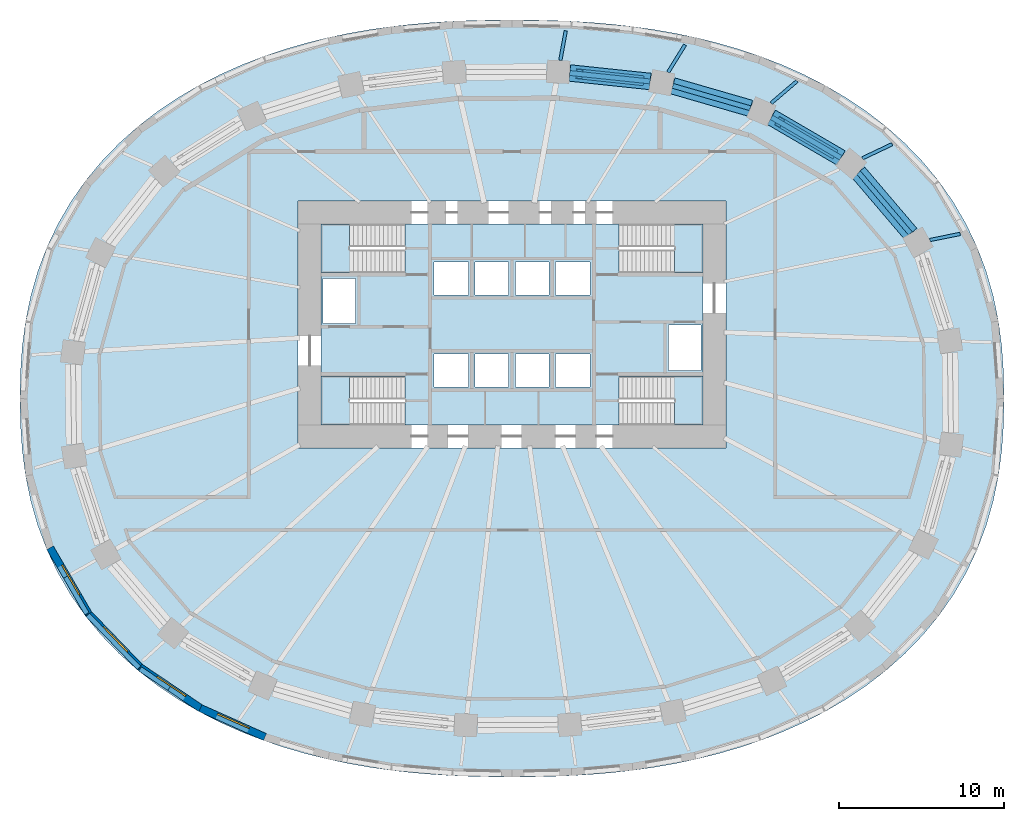
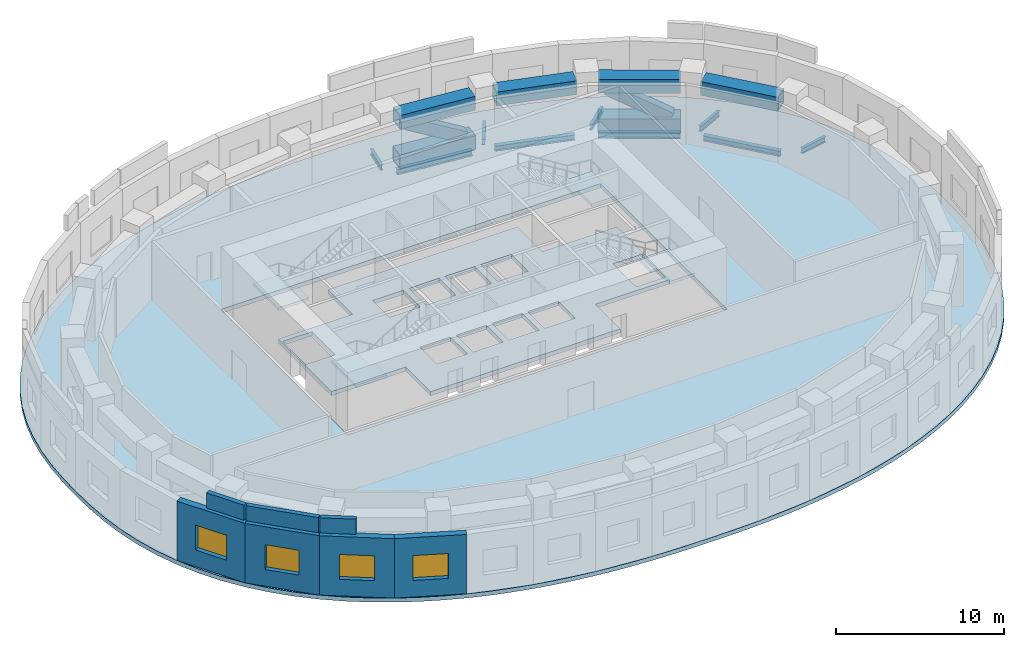
# One storey, part 3 of 9: 9 beams, 8 members, 7 walls, 6 slabs, 4 windows, 4 openings, 4 elements without a shape of their own.
"""IFC4 building model written with IfcOpenShell, lengths in metres."""

import ifcopenshell
import ifcopenshell.guid

model = None  # the IFC model being written
_history = None  # IfcOwnerHistory: only IFC2X3 demands one
_inside = {}  # id of a spatial element -> (the spatial element, [elements in it])
_under = {}  # id of a project, library or spatial element -> (it, [spatial elements below it])
_declared = {}  # id of a project -> (the project, [libraries it declares])
_typed = {}  # id of a type object -> (the type object, [elements of that type])
_made_of = {}  # id of a material, layer set ... -> (it, [elements and type objects made of it])


def new_model(schema):
    """Start an empty IFC model of exactly this schema.

    Asked for "IFC4X3", IfcOpenShell would pick the latest addendum, in which some entities
    have other attributes; the version numbers below select the first issue.
    IFC2X3 requires an IfcOwnerHistory on every rooted entity: one is made here for all.
    """
    global model, _history
    if schema == "IFC4X3":
        model = ifcopenshell.file(schema_version=(4, 3, 0, 0))
    else:
        model = ifcopenshell.file(schema=schema)
    _inside.clear()
    _under.clear()
    _declared.clear()
    _typed.clear()
    _made_of.clear()
    _history = None
    if model.schema == "IFC2X3":
        org = make("IfcOrganization", Name="unknown")
        user = make(
            "IfcPersonAndOrganization",
            ThePerson=make("IfcPerson", FamilyName="unknown"),
            TheOrganization=org,
        )
        app = make(
            "IfcApplication",
            ApplicationDeveloper=org,
            Version="unknown",
            ApplicationFullName="unknown",
            ApplicationIdentifier="unknown",
        )
        _history = make(
            "IfcOwnerHistory",
            OwningUser=user,
            OwningApplication=app,
            ChangeAction="ADDED",
            CreationDate=0,
        )
    return model


def make(cls, **values):
    """One entity of the class cls with the attributes given. An attribute that is None is left unset."""
    return model.create_entity(
        cls, **{name: value for name, value in values.items() if value is not None}
    )


def rooted(cls, **values):
    """An entity with a GlobalId (a new one), such as an element, a storey or a relation."""
    return make(cls, GlobalId=ifcopenshell.guid.new(), OwnerHistory=_history, **values)


def si_unit(unit_type, name, prefix=None):
    """IfcSIUnit, for example si_unit("LENGTHUNIT", "METRE", prefix="MILLI")."""
    return make("IfcSIUnit", UnitType=unit_type, Prefix=prefix, Name=name)


def assignment(units):
    """IfcUnitAssignment: the units of a project."""
    return None if units is None else make("IfcUnitAssignment", Units=units)


def point(xyz):
    """IfcCartesianPoint."""
    return None if xyz is None else make("IfcCartesianPoint", Coordinates=xyz)


def direction(xyz):
    """IfcDirection."""
    return None if xyz is None else make("IfcDirection", DirectionRatios=xyz)


def frame(location, z_axis=None, x_axis=None):
    """IfcAxis2Placement3D, a coordinate frame: its origin and axes. An axis left out is left unset."""
    return make(
        "IfcAxis2Placement3D",
        Location=point(location),
        Axis=direction(z_axis),
        RefDirection=direction(x_axis),
    )


def frame_2d(location, x_axis=None):
    """IfcAxis2Placement2D, a coordinate frame in the plane: its origin and x axis."""
    return make(
        "IfcAxis2Placement2D", Location=point(location), RefDirection=direction(x_axis)
    )


def origin():
    """The frame at (0, 0, 0) with its axes left unset."""
    return frame((0.0, 0.0, 0.0))


def origin_2d():
    """The frame at (0, 0) in the plane with its x axis left unset."""
    return frame_2d((0.0, 0.0))


def place(relative_to, where):
    """IfcLocalPlacement: puts the frame where relative to a parent placement (None: the world)."""
    return make(
        "IfcLocalPlacement", PlacementRelTo=relative_to, RelativePlacement=where
    )


def context(
    kind, dimensions, precision=None, world=None, true_north=None, identifier=None
):
    """IfcGeometricRepresentationContext, for example the 3D "Model" context."""
    return make(
        "IfcGeometricRepresentationContext",
        ContextIdentifier=identifier,
        ContextType=kind,
        CoordinateSpaceDimension=dimensions,
        Precision=precision,
        WorldCoordinateSystem=world,
        TrueNorth=true_north,
    )


def subcontext(parent, identifier, kind, view, scale=None):
    """IfcGeometricRepresentationSubContext, for example "Body" below "Model"."""
    return make(
        "IfcGeometricRepresentationSubContext",
        ContextIdentifier=identifier,
        ContextType=kind,
        ParentContext=parent,
        TargetScale=scale,
        TargetView=view,
    )


def project(units=None, contexts=None):
    """IfcProject with its units and contexts."""
    return rooted(
        "IfcProject",
        Name="project",
        RepresentationContexts=contexts,
        UnitsInContext=assignment(units),
    )


def spatial(cls, under=None, at=None, **own):
    """A site, building, storey or space (cls), placed at a placement, below another one or the project."""
    s = rooted(cls, ObjectPlacement=at, **own)
    if under is not None:
        _under.setdefault(under.id(), (under, []))[1].append(s)
    return s


def polyline(points):
    """IfcPolyline through the points."""
    return make("IfcPolyline", Points=[point(p) for p in points])


def profile(cls, at=None, kind="AREA", **sizes):
    """A parametric profile (cls). Its sizes go by their IFC names, for example OverallWidth=200.0."""
    return make(cls, ProfileType=kind, Position=at, **sizes)


def rectangle(**sizes):
    """IfcRectangleProfileDef."""
    return profile("IfcRectangleProfileDef", **sizes)


def hollow_rectangle(**sizes):
    """IfcRectangleHollowProfileDef."""
    return profile("IfcRectangleHollowProfileDef", **sizes)


def i_section(**sizes):
    """IfcIShapeProfileDef."""
    return profile("IfcIShapeProfileDef", **sizes)


def outline(outer, holes=None, kind="AREA"):
    """IfcArbitraryClosedProfileDef: a profile drawn as a closed curve; with holes, ...WithVoids."""
    if holes is None:
        return make("IfcArbitraryClosedProfileDef", ProfileType=kind, OuterCurve=outer)
    return make(
        "IfcArbitraryProfileDefWithVoids",
        ProfileType=kind,
        OuterCurve=outer,
        InnerCurves=holes,
    )


def extrude(swept, where, along, depth):
    """IfcExtrudedAreaSolid: the profile swept, set in the frame where, extruded along a direction by depth."""
    return make(
        "IfcExtrudedAreaSolid",
        SweptArea=swept,
        Position=where,
        ExtrudedDirection=direction(along),
        Depth=depth,
    )


def shape(context_of_items, identifier, shape_type, items):
    """IfcShapeRepresentation: the items that make up one representation, for example the "Body"."""
    return make(
        "IfcShapeRepresentation",
        ContextOfItems=context_of_items,
        RepresentationIdentifier=identifier,
        RepresentationType=shape_type,
        Items=items,
    )


def material(Name=None, Category=None):
    """IfcMaterial."""
    return make("IfcMaterial", Name=Name, Category=Category)


def layer(
    of_material, thickness, ventilated=None, Name=None, Category=None, Priority=None
):
    """IfcMaterialLayer: one layer of a wall or slab, of a material (None: an air gap)."""
    return make(
        "IfcMaterialLayer",
        Material=of_material,
        LayerThickness=thickness,
        IsVentilated=ventilated,
        Name=Name,
        Category=Category,
        Priority=Priority,
    )


def layer_set(layers, Name=None):
    """IfcMaterialLayerSet."""
    return make("IfcMaterialLayerSet", MaterialLayers=layers, LayerSetName=Name)


def material_profile(
    of_material, cross_section, Name=None, Category=None, Priority=None
):
    """IfcMaterialProfile: a cross section and its material."""
    return make(
        "IfcMaterialProfile",
        Name=Name,
        Material=of_material,
        Profile=cross_section,
        Priority=Priority,
        Category=Category,
    )


def profile_set(profiles, Name=None, composite=None):
    """IfcMaterialProfileSet."""
    return make(
        "IfcMaterialProfileSet",
        Name=Name,
        MaterialProfiles=profiles,
        CompositeProfile=composite,
    )


def made_of(thing, what):
    """Note that an element or type object is made of a material, layer set ...; save() writes the relation."""
    if what is not None:
        _made_of.setdefault(what.id(), (what, []))[1].append(thing)
    return thing


def type_object(cls, material=None, **own):
    """A type object (cls), such as IfcWallType, which elements share."""
    return made_of(rooted(cls, **own), material)


def element(
    cls,
    number,
    at=None,
    inside=None,
    cuts=None,
    type_object=None,
    material=None,
    context=None,
    identifier="Body",
    shape_type=None,
    held_by="IfcProductDefinitionShape",
    body=None,
    shapes=None,
    **own,
):
    """One element of the class cls, such as IfcWall. Its Tag is "e" and its number.

    at: its placement. inside: the storey or other place that contains it. cuts: it is an
    opening in that element (IfcRelVoidsElement). A single representation is given by context,
    identifier, shape_type and body (its items); several are given by shapes. held_by: the class
    of the entity that holds the representations. save() writes the other relations.
    """
    e = rooted(cls, Tag="e%d" % number, ObjectPlacement=at, **own)
    if body is not None:
        shapes = [shape(context, identifier, shape_type, body)]
    if shapes is not None:
        e.Representation = make(held_by, Representations=shapes)
    if inside is not None:
        _inside.setdefault(inside.id(), (inside, []))[1].append(e)
    if cuts is not None:
        rooted(
            "IfcRelVoidsElement", RelatingBuildingElement=cuts, RelatedOpeningElement=e
        )
    if type_object is not None:
        _typed.setdefault(type_object.id(), (type_object, []))[1].append(e)
    return made_of(e, material)


def fill(opening, filler):
    """IfcRelFillsElement: the door or window that sits in an opening."""
    return rooted(
        "IfcRelFillsElement",
        RelatingOpeningElement=opening,
        RelatedBuildingElement=filler,
    )


def aggregate(whole, parts):
    """IfcRelAggregates: a whole, such as a stair, and the parts it consists of."""
    return rooted("IfcRelAggregates", RelatingObject=whole, RelatedObjects=parts)


def save(model, path):
    """Write the relations noted so far, then the file.

    IfcRelAggregates (storeys below a building ...), IfcRelContainedInSpatialStructure (elements
    in a storey), IfcRelDefinesByType, IfcRelAssociatesMaterial and IfcRelDeclares: one each for
    every whole, place, type object, material and project.
    """
    for whole, parts in _under.values():
        aggregate(whole, parts)
    for where, things in _inside.values():
        rooted(
            "IfcRelContainedInSpatialStructure",
            RelatedElements=things,
            RelatingStructure=where,
        )
    for kind, things in _typed.values():
        rooted("IfcRelDefinesByType", RelatedObjects=things, RelatingType=kind)
    for what, things in _made_of.values():
        rooted("IfcRelAssociatesMaterial", RelatedObjects=things, RelatingMaterial=what)
    for by, libraries in _declared.values():
        rooted("IfcRelDeclares", RelatingContext=by, RelatedDefinitions=libraries)
    model.write(path)


model = new_model("IFC4")

# Units and contexts
model_context = context("Model", 3, precision=1e-05, world=origin(), true_north=direction((0.0, 1.0)))
body_context = subcontext(model_context, "Body", "Model", "MODEL_VIEW")
ifc_project = project(units=[si_unit("LENGTHUNIT", "METRE"), si_unit("AREAUNIT", "SQUARE_METRE"), si_unit("VOLUMEUNIT", "CUBIC_METRE"), si_unit("PLANEANGLEUNIT", "RADIAN"), si_unit("MASSUNIT", "GRAM", prefix="KILO")], contexts=[model_context])

# Site, building, storey
site_placement = place(None, origin())
site = spatial("IfcSite", under=ifc_project, at=site_placement, CompositionType="ELEMENT")
building_placement = place(site_placement, origin())
building = spatial("IfcBuilding", under=site, at=building_placement, Name="Rubra Terraces Tower", CompositionType="ELEMENT")
storey_placement = place(building_placement, frame((0.0, 0.0, 33.0)))
storey = spatial("IfcBuildingStorey", under=building, at=storey_placement, Name="L05", CompositionType="ELEMENT", Elevation=33.0)

# Members
ifc_material_1 = material(Name="Steel Q355B", Category="steel")
ifc_material_profile_1 = material_profile(ifc_material_1, hollow_rectangle(XDim=1.0, YDim=1.0, WallThickness=0.050048828125, at=origin_2d()), Name="BOX 1000x1000x50")
ifc_profile_set_1 = profile_set([ifc_material_profile_1], Name="Steel Q355B")
member_type_1 = type_object("IfcMemberType", Name="BELT TRUSS BOTTOM CHORD R1 BOX 1000x1000x50", PredefinedType="CHORD", material=ifc_profile_set_1)
member_1_placement = place(storey_placement, frame((19.9951171875, 14.618896484375, 0.5), z_axis=(-0.863809616636, 0.503818366286, 0.0), x_axis=(-0.503818366286, -0.863809616636, 0.0)))
element("IfcMember", 1, at=member_1_placement, inside=storey, type_object=member_type_1, Name="BELT TRUSS CHORD R1", PredefinedType="CHORD", context=body_context, shape_type="SweptSolid", body=[
    extrude(hollow_rectangle(XDim=1.0, YDim=1.0, WallThickness=0.050048828125, at=origin_2d()), origin(), (0.0, 0.0, 1.0), 4.900634765625),
])
member_2_placement = place(storey_placement, frame((8.39794921875, 19.264892578125, 0.5), z_axis=(-0.994478218252, 0.104943191403, 0.0), x_axis=(-0.104943191403, -0.994478218252, 0.0)))
element("IfcMember", 2, at=member_2_placement, inside=storey, type_object=member_type_1, Name="BELT TRUSS CHORD R1", PredefinedType="CHORD", context=body_context, shape_type="SweptSolid", body=[
    extrude(hollow_rectangle(XDim=1.0, YDim=1.0, WallThickness=0.050048828125, at=origin_2d()), origin(), (0.0, 0.0, 1.0), 4.91796875),
])
ifc_material_profile_2 = material_profile(ifc_material_1, hollow_rectangle(XDim=0.60009765625, YDim=0.800048828125, WallThickness=0.034912109375, at=origin_2d()), Name="BOX 800x600x35")
ifc_profile_set_2 = profile_set([ifc_material_profile_2], Name="Steel Q355B")
member_type_2 = type_object("IfcMemberType", Name="BELT TRUSS DIAGONAL R1 BOX 800x600x35", PredefinedType="BRACE", material=ifc_profile_set_2)
member_3_placement = place(storey_placement, frame((19.487060546875, 14.9150390625, 0.89990234375), z_axis=(-0.756332606861, 0.441275334412, 0.482946236179), x_axis=(-0.503940308801, -0.863738481929, 0.0)))
element("IfcMember", 3, at=member_3_placement, inside=storey, type_object=member_type_2, Name="BELT TRUSS DIAGONAL R1", PredefinedType="BRACE", context=body_context, shape_type="SweptSolid", body=[
    extrude(hollow_rectangle(XDim=0.60009765625, YDim=0.800048828125, WallThickness=0.034912109375, at=origin_2d()), origin(), (0.0, 0.0, 1.0), 4.25341796875),
])
member_4_placement = place(storey_placement, frame((7.81103515625, 19.326904296875, 0.89990234375), z_axis=(-0.871530603495, 0.091932883364, 0.481645878346), x_axis=(-0.104902392871, -0.994482522707, 0.0)))
element("IfcMember", 4, at=member_4_placement, inside=storey, type_object=member_type_2, Name="BELT TRUSS DIAGONAL R1", PredefinedType="BRACE", context=body_context, shape_type="SweptSolid", body=[
    extrude(hollow_rectangle(XDim=0.60009765625, YDim=0.800048828125, WallThickness=0.034912109375, at=origin_2d()), origin(), (0.0, 0.0, 1.0), 4.264892578125),
])
ifc_material_profile_3 = material_profile(ifc_material_1, hollow_rectangle(XDim=1.0, YDim=1.0, WallThickness=0.050048828125, at=origin_2d()), Name="BOX 1000x1000x50")
ifc_profile_set_3 = profile_set([ifc_material_profile_3], Name="Steel Q355B")
member_type_3 = type_object("IfcMemberType", Name="BELT TRUSS TOP CHORD R1 BOX 1000x1000x50", PredefinedType="CHORD", material=ifc_profile_set_3)
member_5_placement = place(storey_placement, frame((24.221923828125, 10.01611328125, 3.35400390625), z_axis=(-0.648681016866, 0.761060403882, 0.0), x_axis=(-0.761060403882, -0.648681016866, 0.0)))
element("IfcMember", 5, at=member_5_placement, inside=storey, type_object=member_type_3, Name="BELT TRUSS CHORD R1", PredefinedType="CHORD", context=body_context, shape_type="SweptSolid", body=[
    extrude(hollow_rectangle(XDim=1.0, YDim=1.0, WallThickness=0.050048828125, at=origin_2d()), origin(), (0.0, 0.0, 1.0), 4.8837890625),
])
member_6_placement = place(storey_placement, frame((19.9951171875, 14.618896484375, 3.35400390625), z_axis=(-0.863809616636, 0.503818366286, 0.0), x_axis=(-0.503818366286, -0.863809616636, 0.0)))
element("IfcMember", 6, at=member_6_placement, inside=storey, type_object=member_type_3, Name="BELT TRUSS CHORD R1", PredefinedType="CHORD", context=body_context, shape_type="SweptSolid", body=[
    extrude(hollow_rectangle(XDim=1.0, YDim=1.0, WallThickness=0.050048828125, at=origin_2d()), origin(), (0.0, 0.0, 1.0), 4.900634765625),
])
member_7_placement = place(storey_placement, frame((14.48388671875, 17.635009765625, 3.35400390625), z_axis=(-0.960692082197, 0.277616143629, 0.0), x_axis=(-0.277616143629, -0.960692082197, 0.0)))
element("IfcMember", 7, at=member_7_placement, inside=storey, type_object=member_type_3, Name="BELT TRUSS CHORD R1", PredefinedType="CHORD", context=body_context, shape_type="SweptSolid", body=[
    extrude(hollow_rectangle(XDim=1.0, YDim=1.0, WallThickness=0.050048828125, at=origin_2d()), origin(), (0.0, 0.0, 1.0), 4.909912109375),
])
member_8_placement = place(storey_placement, frame((8.39794921875, 19.264892578125, 3.35400390625), z_axis=(-0.994478218252, 0.104943191403, 0.0), x_axis=(-0.104943191403, -0.994478218252, 0.0)))
element("IfcMember", 8, at=member_8_placement, inside=storey, type_object=member_type_3, Name="BELT TRUSS CHORD R1", PredefinedType="CHORD", context=body_context, shape_type="SweptSolid", body=[
    extrude(hollow_rectangle(XDim=1.0, YDim=1.0, WallThickness=0.050048828125, at=origin_2d()), origin(), (0.0, 0.0, 1.0), 4.91796875),
])

# Beams
ifc_material_profile_4 = material_profile(ifc_material_1, i_section(OverallWidth=0.199951171875, OverallDepth=0.39990234375, WebThickness=0.008056640625, FlangeThickness=0.012939453125, at=origin_2d()), Name="HN 400x200x8x13")
ifc_profile_set_4 = profile_set([ifc_material_profile_4], Name="Steel Q355B")
beam_type_1 = type_object("IfcBeamType", Name="CANTILEVER BEAM HN 400x200x8x13", PredefinedType="BEAM", material=ifc_profile_set_4)
beam_1_placement = place(storey_placement, frame((25.39599609375, 9.6279296875, -0.5), z_axis=(0.980183746275, 0.198090442822, 0.0), x_axis=(-0.198090442822, 0.980183746275, 0.0)))
element("IfcBeam", 9, at=beam_1_placement, inside=storey, type_object=beam_type_1, Name="beam-L05-cant-02", PredefinedType="BEAM", context=body_context, shape_type="SweptSolid", body=[
    extrude(i_section(OverallWidth=0.199951171875, OverallDepth=0.39990234375, WebThickness=0.008056640625, FlangeThickness=0.012939453125, at=origin_2d()), origin(), (0.0, 0.0, 1.0), 1.878173828125),
])
beam_2_placement = place(storey_placement, frame((21.2958984375, 14.595947265625, -0.5), z_axis=(0.903591368952, 0.428395422426, 0.0), x_axis=(-0.428395422426, 0.903591368952, 0.0)))
element("IfcBeam", 10, at=beam_2_placement, inside=storey, type_object=beam_type_1, Name="beam-L05-cant-03", PredefinedType="BEAM", context=body_context, shape_type="SweptSolid", body=[
    extrude(i_section(OverallWidth=0.199951171875, OverallDepth=0.39990234375, WebThickness=0.008056640625, FlangeThickness=0.012939453125, at=origin_2d()), origin(), (0.0, 0.0, 1.0), 2.003173828125),
])
beam_3_placement = place(storey_placement, frame((15.7509765625, 17.947998046875, -0.5), z_axis=(0.760464221836, 0.649379832847, 0.0), x_axis=(-0.649379832847, 0.760464221836, 0.0)))
element("IfcBeam", 11, at=beam_3_placement, inside=storey, type_object=beam_type_1, Name="beam-L05-cant-04", PredefinedType="BEAM", context=body_context, shape_type="SweptSolid", body=[
    extrude(i_section(OverallWidth=0.199951171875, OverallDepth=0.39990234375, WebThickness=0.008056640625, FlangeThickness=0.012939453125, at=origin_2d()), origin(), (0.0, 0.0, 1.0), 2.052734375),
])
beam_4_placement = place(storey_placement, frame((9.488037109375, 19.827880859375, -0.5), z_axis=(0.526264261804, 0.850321072741, 0.0), x_axis=(-0.850321072741, 0.526264261804, 0.0)))
element("IfcBeam", 12, at=beam_4_placement, inside=storey, type_object=beam_type_1, Name="beam-L05-cant-05", PredefinedType="BEAM", context=body_context, shape_type="SweptSolid", body=[
    extrude(i_section(OverallWidth=0.199951171875, OverallDepth=0.39990234375, WebThickness=0.008056640625, FlangeThickness=0.012939453125, at=origin_2d()), origin(), (0.0, 0.0, 1.0), 1.95361328125),
])
beam_5_placement = place(storey_placement, frame((2.93798828125, 20.549072265625, -0.5), z_axis=(0.180016854408, 0.983663525871, 0.0), x_axis=(-0.983663525871, 0.180016854408, 0.0)))
element("IfcBeam", 13, at=beam_5_placement, inside=storey, type_object=beam_type_1, Name="beam-L05-cant-06", PredefinedType="BEAM", context=body_context, shape_type="SweptSolid", body=[
    extrude(i_section(OverallWidth=0.199951171875, OverallDepth=0.39990234375, WebThickness=0.008056640625, FlangeThickness=0.012939453125, at=origin_2d()), origin(), (0.0, 0.0, 1.0), 1.82275390625),
])
ifc_material_profile_5 = material_profile(ifc_material_1, i_section(OverallWidth=0.300048828125, OverallDepth=0.389892578125, WebThickness=0.010009765625, FlangeThickness=0.01611328125, at=origin_2d()), Name="HM 390x300x10x16")
ifc_profile_set_5 = profile_set([ifc_material_profile_5], Name="Steel Q355B")
beam_type_2 = type_object("IfcBeamType", Name="SPANDREL BEAM HM 390x300x10x16", PredefinedType="SPANDREL", material=ifc_profile_set_5)
beam_6_placement = place(storey_placement, frame((24.212890625, 10.02587890625, -0.4951171875), z_axis=(-0.648447050824, 0.761259760054, 0.0), x_axis=(-0.761259760054, -0.648447050824, 0.0)))
element("IfcBeam", 14, at=beam_6_placement, inside=storey, type_object=beam_type_2, Name="beam-L05-spandrel-02", PredefinedType="SPANDREL", context=body_context, shape_type="SweptSolid", body=[
    extrude(i_section(OverallWidth=0.300048828125, OverallDepth=0.389892578125, WebThickness=0.010009765625, FlangeThickness=0.01611328125, at=origin_2d()), origin(), (0.0, 0.0, 1.0), 4.860595703125),
])
beam_7_placement = place(storey_placement, frame((19.987060546875, 14.6240234375, -0.4951171875), z_axis=(-0.863806081452, 0.503824427402, 0.0), x_axis=(-0.503824427402, -0.863806081452, 0.0)))
element("IfcBeam", 15, at=beam_7_placement, inside=storey, type_object=beam_type_2, Name="beam-L05-spandrel-03", PredefinedType="SPANDREL", context=body_context, shape_type="SweptSolid", body=[
    extrude(i_section(OverallWidth=0.300048828125, OverallDepth=0.389892578125, WebThickness=0.010009765625, FlangeThickness=0.01611328125, at=origin_2d()), origin(), (0.0, 0.0, 1.0), 4.886474609375),
])
beam_8_placement = place(storey_placement, frame((14.47900390625, 17.636962890625, -0.4951171875), z_axis=(-0.960743980202, 0.277436487337, 0.0), x_axis=(-0.277436487337, -0.960743980202, 0.0)))
element("IfcBeam", 16, at=beam_8_placement, inside=storey, type_object=beam_type_2, Name="beam-L05-spandrel-04", PredefinedType="SPANDREL", context=body_context, shape_type="SweptSolid", body=[
    extrude(i_section(OverallWidth=0.300048828125, OverallDepth=0.389892578125, WebThickness=0.010009765625, FlangeThickness=0.01611328125, at=origin_2d()), origin(), (0.0, 0.0, 1.0), 4.90234375),
])
beam_9_placement = place(storey_placement, frame((8.39501953125, 19.26611328125, -0.4951171875), z_axis=(-0.994495375694, 0.104780473964, 0.0), x_axis=(-0.104780473964, -0.994495375694, 0.0)))
element("IfcBeam", 17, at=beam_9_placement, inside=storey, type_object=beam_type_2, Name="beam-L05-spandrel-05", PredefinedType="SPANDREL", context=body_context, shape_type="SweptSolid", body=[
    extrude(i_section(OverallWidth=0.300048828125, OverallDepth=0.389892578125, WebThickness=0.010009765625, FlangeThickness=0.01611328125, at=origin_2d()), origin(), (0.0, 0.0, 1.0), 4.9140625),
])

# Slab
ifc_material_2 = material(Name="Concrete C40", Category="concrete")
ifc_layer_1 = layer(ifc_material_2, 0.300048828125)
ifc_layer_set_1 = layer_set([ifc_layer_1], Name="Concrete C40")
slab_type_1 = type_object("IfcSlabType", Name="Core floor slab 300 concrete", PredefinedType="FLOOR", material=ifc_layer_set_1)
slab_1_placement = place(storey_placement, frame((0.0, 0.0, -0.300048828125)))
element("IfcSlab", 18, at=slab_1_placement, inside=storey, type_object=slab_type_1, Name="CORE FLOOR SLAB L05", PredefinedType="FLOOR", context=body_context, shape_type="SweptSolid", body=[
    extrude(outline(polyline([(-11.60009765625, 1.347900390625), (-11.60009765625, 7.652099609375), (-6.501953125, 7.652099609375), (-6.501953125, 10.60009765625), (6.501953125, 10.60009765625), (6.501953125, 7.652099609375), (11.60009765625, 7.652099609375), (11.60009765625, 1.347900390625), (6.501953125, 1.347900390625), (6.501953125, -1.60009765625), (-6.501953125, -1.60009765625), (-6.501953125, 1.347900390625), (-11.60009765625, 1.347900390625)]), holes=[polyline([(9.5, 1.699951171875), (11.5, 1.699951171875), (11.5, 4.449951171875), (9.5, 4.449951171875), (9.5, 1.699951171875)]), polyline([(4.75, 0.699951171875), (4.75, 2.699951171875), (2.64990234375, 2.699951171875), (2.64990234375, 0.699951171875), (4.75, 0.699951171875)]), polyline([(4.75, 6.300048828125), (4.75, 8.300048828125), (2.64990234375, 8.300048828125), (2.64990234375, 6.300048828125), (4.75, 6.300048828125)]), polyline([(2.25, 0.699951171875), (2.25, 2.699951171875), (0.199951171875, 2.699951171875), (0.199951171875, 0.699951171875), (2.25, 0.699951171875)]), polyline([(2.25, 6.300048828125), (2.25, 8.300048828125), (0.199951171875, 8.300048828125), (0.199951171875, 6.300048828125), (2.25, 6.300048828125)]), polyline([(-0.199951171875, 0.699951171875), (-0.199951171875, 2.699951171875), (-2.25, 2.699951171875), (-2.25, 0.699951171875), (-0.199951171875, 0.699951171875)]), polyline([(-0.199951171875, 6.300048828125), (-0.199951171875, 8.300048828125), (-2.25, 8.300048828125), (-2.25, 6.300048828125), (-0.199951171875, 6.300048828125)]), polyline([(-2.64990234375, 0.699951171875), (-2.64990234375, 2.699951171875), (-4.75, 2.699951171875), (-4.75, 0.699951171875), (-2.64990234375, 0.699951171875)]), polyline([(-2.64990234375, 8.300048828125), (-4.75, 8.300048828125), (-4.75, 6.300048828125), (-2.64990234375, 6.300048828125), (-2.64990234375, 8.300048828125)]), polyline([(-9.5, 7.300048828125), (-11.5, 7.300048828125), (-11.5, 4.550048828125), (-9.5, 4.550048828125), (-9.5, 7.300048828125)])]), origin(), (0.0, 0.0, 1.0), 0.300048828125),
])

# Stair, slab
stair_type = type_object("IfcStairType", Name="Core stair 1400", PredefinedType="HALF_TURN_STAIR", material=ifc_material_2)
stair_1_placement = place(storey_placement, origin())
stair_1 = element("IfcStair", 19, at=stair_1_placement, inside=storey, type_object=stair_type, Name="L05 Exit stair S1", PredefinedType="HALF_TURN_STAIR")
ifc_layer_2 = layer(ifc_material_2, 0.199951171875)
ifc_layer_set_2 = layer_set([ifc_layer_2], Name="Concrete C40")
slab_type_2 = type_object("IfcSlabType", Name="Core stair landing 200", PredefinedType="LANDING", material=ifc_layer_set_2)
slab_2_placement = place(storey_placement, frame((0.0, 0.0, 2.050048828125)))
slab_2 = element("IfcSlab", 20, at=slab_2_placement, type_object=slab_type_2, Name="S1 landing 1", PredefinedType="LANDING", context=body_context, shape_type="SweptSolid", body=[
    extrude(outline(polyline([(-9.5, -0.199951171875), (-9.5, -1.60009765625), (-9.8798828125, -1.60009765625), (-9.89990234375, -1.60009765625), (-11.60009765625, -1.60009765625), (-11.60009765625, 1.35009765625), (-9.89990234375, 1.35009765625), (-9.8779296875, 1.35009765625), (-9.8779296875, -0.050048828125), (-9.8798828125, -0.050048828125), (-9.8798828125, -0.199951171875), (-9.5, -0.199951171875)])), origin(), (0.0, 0.0, 1.0), 0.199951171875),
])
aggregate(stair_1, [slab_2])

stair_2_placement = place(storey_placement, origin())
stair_2 = element("IfcStair", 21, at=stair_2_placement, inside=storey, type_object=stair_type, Name="L05 Exit stair S2", PredefinedType="HALF_TURN_STAIR")
slab_3_placement = place(storey_placement, frame((0.0, 0.0, 2.050048828125)))
slab_3 = element("IfcSlab", 22, at=slab_3_placement, type_object=slab_type_2, Name="S2 landing 1", PredefinedType="LANDING", context=body_context, shape_type="SweptSolid", body=[
    extrude(outline(polyline([(-9.5, 9.050048828125), (-9.5, 7.64990234375), (-9.89990234375, 7.64990234375), (-11.60009765625, 7.64990234375), (-11.60009765625, 10.60009765625), (-9.89990234375, 10.60009765625), (-9.8798828125, 10.60009765625), (-9.8779296875, 10.60009765625), (-9.8779296875, 9.199951171875), (-9.8798828125, 9.199951171875), (-9.8798828125, 9.050048828125), (-9.5, 9.050048828125)])), origin(), (0.0, 0.0, 1.0), 0.199951171875),
])
aggregate(stair_2, [slab_3])

stair_3_placement = place(storey_placement, origin())
stair_3 = element("IfcStair", 23, at=stair_3_placement, inside=storey, type_object=stair_type, Name="L05 Exit stair S3", PredefinedType="HALF_TURN_STAIR")
slab_4_placement = place(storey_placement, frame((0.0, 0.0, 2.050048828125)))
slab_4 = element("IfcSlab", 24, at=slab_4_placement, type_object=slab_type_2, Name="S3 landing 1", PredefinedType="LANDING", context=body_context, shape_type="SweptSolid", body=[
    extrude(outline(polyline([(9.8798828125, 9.050048828125), (9.8798828125, 9.199951171875), (9.5, 9.199951171875), (9.5, 10.60009765625), (9.8798828125, 10.60009765625), (9.89990234375, 10.60009765625), (11.60009765625, 10.60009765625), (11.60009765625, 7.64990234375), (9.89990234375, 7.64990234375), (9.8779296875, 7.64990234375), (9.8779296875, 9.050048828125), (9.8798828125, 9.050048828125)])), origin(), (0.0, 0.0, 1.0), 0.199951171875),
])
aggregate(stair_3, [slab_4])

stair_4_placement = place(storey_placement, origin())
stair_4 = element("IfcStair", 25, at=stair_4_placement, inside=storey, type_object=stair_type, Name="L05 Exit stair S4", PredefinedType="HALF_TURN_STAIR")
slab_5_placement = place(storey_placement, frame((0.0, 0.0, 2.050048828125)))
slab_5 = element("IfcSlab", 26, at=slab_5_placement, type_object=slab_type_2, Name="S4 landing 1", PredefinedType="LANDING", context=body_context, shape_type="SweptSolid", body=[
    extrude(outline(polyline([(9.8798828125, -0.199951171875), (9.8798828125, -0.050048828125), (9.5, -0.050048828125), (9.5, 1.35009765625), (9.8798828125, 1.35009765625), (9.89990234375, 1.35009765625), (11.60009765625, 1.35009765625), (11.60009765625, -1.60009765625), (9.89990234375, -1.60009765625), (9.8798828125, -1.60009765625), (9.8779296875, -1.60009765625), (9.8779296875, -0.199951171875), (9.8798828125, -0.199951171875)])), origin(), (0.0, 0.0, 1.0), 0.199951171875),
])
aggregate(stair_4, [slab_5])

# Slab
ifc_layer_3 = layer(ifc_material_2, 0.300048828125)
ifc_layer_set_3 = layer_set([ifc_layer_3], Name="Concrete C40")
slab_type_3 = type_object("IfcSlabType", Name="FLOOR SLAB 300 COMPOSITE", PredefinedType="FLOOR", material=ifc_layer_set_3)
slab_6_placement = place(storey_placement, frame((0.0, 0.0, -0.300048828125)))
element("IfcSlab", 27, at=slab_6_placement, inside=storey, type_object=slab_type_3, Name="FLOOR SLAB L05", PredefinedType="FLOOR", context=body_context, shape_type="SweptSolid", body=[
    extrude(outline(polyline([(29.873046875, -1.56591796875), (29.89990234375, 0.0), (29.873046875, 1.56591796875), (29.76708984375, 3.12890625), (29.56298828125, 4.681884765625), (29.25, 6.216064453125), (28.819091796875, 7.719970703125), (28.26806640625, 9.18505859375), (27.60205078125, 10.591064453125), (26.820068359375, 11.93603515625), (25.929931640625, 13.2119140625), (24.951904296875, 14.39501953125), (23.885009765625, 15.5), (22.739013671875, 16.52099609375), (21.555908203125, 17.43505859375), (20.31591796875, 18.27001953125), (19.02587890625, 19.02587890625), (17.7490234375, 19.679931640625), (16.43896484375, 20.264892578125), (15.10107421875, 20.784912109375), (13.80810546875, 21.219970703125), (12.4970703125, 21.60009765625), (11.173095703125, 21.927978515625), (9.904052734375, 22.194091796875), (8.626953125, 22.4169921875), (7.343017578125, 22.60009765625), (6.10791015625, 22.739013671875), (4.87109375, 22.844970703125), (3.6298828125, 22.922119140625), (2.4208984375, 22.968994140625), (1.2109375, 22.993896484375), (0.0, 23.0), (-1.2109375, 22.993896484375), (-2.4208984375, 22.968994140625), (-3.6298828125, 22.922119140625), (-4.87109375, 22.844970703125), (-6.10791015625, 22.739013671875), (-7.343017578125, 22.60009765625), (-8.626953125, 22.4169921875), (-9.904052734375, 22.194091796875), (-11.173095703125, 21.927978515625), (-12.4970703125, 21.60009765625), (-13.80810546875, 21.219970703125), (-15.10107421875, 20.784912109375), (-16.43896484375, 20.264892578125), (-17.7490234375, 19.679931640625), (-19.02587890625, 19.02587890625), (-20.31591796875, 18.27001953125), (-21.555908203125, 17.43505859375), (-22.739013671875, 16.52099609375), (-23.885009765625, 15.5), (-24.951904296875, 14.39501953125), (-25.929931640625, 13.2119140625), (-26.820068359375, 11.93603515625), (-27.60205078125, 10.591064453125), (-28.26806640625, 9.18505859375), (-28.819091796875, 7.719970703125), (-29.25, 6.216064453125), (-29.56298828125, 4.681884765625), (-29.76708984375, 3.12890625), (-29.873046875, 1.56591796875), (-29.89990234375, 0.0), (-29.873046875, -1.56591796875), (-29.76708984375, -3.12890625), (-29.56298828125, -4.681884765625), (-29.25, -6.216064453125), (-28.819091796875, -7.719970703125), (-28.26806640625, -9.18505859375), (-27.60205078125, -10.591064453125), (-26.820068359375, -11.93603515625), (-25.929931640625, -13.2119140625), (-24.951904296875, -14.39501953125), (-23.885009765625, -15.5), (-22.739013671875, -16.52099609375), (-21.555908203125, -17.43505859375), (-20.31591796875, -18.27001953125), (-19.02587890625, -19.02587890625), (-17.7490234375, -19.679931640625), (-16.43896484375, -20.264892578125), (-15.10107421875, -20.784912109375), (-13.80810546875, -21.219970703125), (-12.4970703125, -21.60009765625), (-11.173095703125, -21.927978515625), (-9.904052734375, -22.194091796875), (-8.626953125, -22.4169921875), (-7.343017578125, -22.60009765625), (-6.10791015625, -22.739013671875), (-4.87109375, -22.844970703125), (-3.6298828125, -22.922119140625), (-2.4208984375, -22.968994140625), (-1.2109375, -22.993896484375), (0.0, -23.0), (1.2109375, -22.993896484375), (2.4208984375, -22.968994140625), (3.6298828125, -22.922119140625), (4.87109375, -22.844970703125), (6.10791015625, -22.739013671875), (7.343017578125, -22.60009765625), (8.626953125, -22.4169921875), (9.904052734375, -22.194091796875), (11.173095703125, -21.927978515625), (12.4970703125, -21.60009765625), (13.80810546875, -21.219970703125), (15.10107421875, -20.784912109375), (16.43896484375, -20.264892578125), (17.7490234375, -19.679931640625), (19.02587890625, -19.02587890625), (20.31591796875, -18.27001953125), (21.555908203125, -17.43505859375), (22.739013671875, -16.52099609375), (23.885009765625, -15.5), (24.951904296875, -14.39501953125), (25.929931640625, -13.2119140625), (26.820068359375, -11.93603515625), (27.60205078125, -10.591064453125), (28.26806640625, -9.18505859375), (28.819091796875, -7.719970703125), (29.25, -6.216064453125), (29.56298828125, -4.681884765625), (29.76708984375, -3.12890625), (29.873046875, -1.56591796875)]), holes=[polyline([(13.0, 12.0), (13.0, -3.0), (-13.0, -3.0), (-13.0, 12.0), (13.0, 12.0)])]), origin(), (0.0, 0.0, 1.0), 0.300048828125),
])

# Wall, opening, window
ifc_material_3 = material(Name="Brick masonry red-brown", Category="masonry")
ifc_layer_4 = layer(ifc_material_3, 0.449951171875)
ifc_layer_set_4 = layer_set([ifc_layer_4], Name="Brick masonry red-brown")
wall_type_1 = type_object("IfcWallType", Name="Brick facade wall 450", PredefinedType="SOLIDWALL", material=ifc_layer_set_4)
wall_1_placement = place(storey_placement, frame((-28.073486328125, -9.072021484375, 0.0), z_axis=(0.0, 0.0, 1.0), x_axis=(0.502106426501, -0.864805837438, 0.0)))
wall_1 = element("IfcWall", 28, at=wall_1_placement, inside=storey, type_object=wall_type_1, Name="Facade wall L05 bay 23", PredefinedType="SOLIDWALL", context=body_context, shape_type="SweptSolid", body=[
    extrude(rectangle(XDim=4.65673828125, YDim=0.449951171875, at=frame_2d((2.328369140625, 0.0))), origin(), (0.0, 0.0, 1.0), 4.300048828125),
])
opening_1_placement = place(wall_1_placement, frame((1.2783203125, 0.0, 1.199951171875)))
opening_1 = element("IfcOpeningElement", 29, at=opening_1_placement, cuts=wall_1, Name="Opening W4", PredefinedType="OPENING", context=body_context, shape_type="SweptSolid", body=[
    extrude(rectangle(XDim=2.10009765625, YDim=1.800048828125, at=frame_2d((1.050048828125, 0.89990234375))), frame((0.0, 0.23486328125, 0.0), z_axis=(0.0, -1.0, 0.0), x_axis=(1.0, 0.0, 0.0)), (0.0, 0.0, 1.0), 0.469970703125),
])
ifc_material_4 = material(Name="Clear glass in aluminium frame", Category="aluminium")
window_type = type_object("IfcWindowType", Name="Louvred plant window 2100 x 1800", PartitioningType="SINGLE_PANEL", PredefinedType="WINDOW", material=ifc_material_4)
window_1_placement = place(opening_1_placement, origin())
window_1 = element("IfcWindow", 30, at=window_1_placement, inside=storey, type_object=window_type, Name="Window L05 bay 23", OverallHeight=1.800048828125, OverallWidth=2.10009765625, PartitioningType="SINGLE_PANEL", PredefinedType="WINDOW", context=body_context, shape_type="SweptSolid", body=[
    extrude(rectangle(XDim=2.10009765625, YDim=1.800048828125, at=frame_2d((1.050048828125, 0.89990234375))), frame((0.0, 0.135009765625, 0.0), z_axis=(0.0, -1.0, 0.0), x_axis=(1.0, 0.0, 0.0)), (0.0, 0.0, 1.0), 0.06005859375),
])
fill(opening_1, window_1)

wall_2_placement = place(storey_placement, frame((-25.76806640625, -13.055908203125, 0.0), z_axis=(0.0, 0.0, 1.0), x_axis=(0.694191591241, -0.719790271294, 0.0)))
wall_2 = element("IfcWall", 31, at=wall_2_placement, inside=storey, type_object=wall_type_1, Name="Facade wall L05 bay 24", PredefinedType="SOLIDWALL", context=body_context, shape_type="SweptSolid", body=[
    extrude(rectangle(XDim=4.596923828125, YDim=0.449951171875, at=frame_2d((2.29833984375, 0.0))), origin(), (0.0, 0.0, 1.0), 4.300048828125),
])
opening_2_placement = place(wall_2_placement, frame((1.24853515625, 0.0, 1.199951171875)))
opening_2 = element("IfcOpeningElement", 32, at=opening_2_placement, cuts=wall_2, Name="Opening W4", PredefinedType="OPENING", context=body_context, shape_type="SweptSolid", body=[
    extrude(rectangle(XDim=2.10009765625, YDim=1.800048828125, at=frame_2d((1.050048828125, 0.89990234375))), frame((0.0, 0.23486328125, 0.0), z_axis=(0.0, -1.0, 0.0), x_axis=(1.0, 0.0, 0.0)), (0.0, 0.0, 1.0), 0.469970703125),
])
window_2_placement = place(opening_2_placement, origin())
window_2 = element("IfcWindow", 33, at=window_2_placement, inside=storey, type_object=window_type, Name="Window L05 bay 24", OverallHeight=1.800048828125, OverallWidth=2.10009765625, PartitioningType="SINGLE_PANEL", PredefinedType="WINDOW", context=body_context, shape_type="SweptSolid", body=[
    extrude(rectangle(XDim=2.10009765625, YDim=1.800048828125, at=frame_2d((1.050048828125, 0.89990234375))), frame((0.0, 0.135009765625, 0.0), z_axis=(0.0, -1.0, 0.0), x_axis=(1.0, 0.0, 0.0)), (0.0, 0.0, 1.0), 0.06005859375),
])
fill(opening_2, window_2)

wall_3_placement = place(storey_placement, frame((-22.61328125, -16.33447265625, 0.0), z_axis=(0.0, 0.0, 1.0), x_axis=(0.828976924359, -0.559282807604, 0.0)))
wall_3 = element("IfcWall", 34, at=wall_3_placement, inside=storey, type_object=wall_type_1, Name="Facade wall L05 bay 25", PredefinedType="SOLIDWALL", context=body_context, shape_type="SweptSolid", body=[
    extrude(rectangle(XDim=4.479248046875, YDim=0.449951171875, at=frame_2d((2.23974609375, 0.0))), origin(), (0.0, 0.0, 1.0), 4.300048828125),
])
opening_3_placement = place(wall_3_placement, frame((1.189453125, 0.0, 1.199951171875)))
opening_3 = element("IfcOpeningElement", 35, at=opening_3_placement, cuts=wall_3, Name="Opening W4", PredefinedType="OPENING", context=body_context, shape_type="SweptSolid", body=[
    extrude(rectangle(XDim=2.10009765625, YDim=1.800048828125, at=frame_2d((1.050048828125, 0.89990234375))), frame((0.0, 0.23486328125, 0.0), z_axis=(0.0, -1.0, 0.0), x_axis=(1.0, 0.0, 0.0)), (0.0, 0.0, 1.0), 0.469970703125),
])
window_3_placement = place(opening_3_placement, origin())
window_3 = element("IfcWindow", 36, at=window_3_placement, inside=storey, type_object=window_type, Name="Window L05 bay 25", OverallHeight=1.800048828125, OverallWidth=2.10009765625, PartitioningType="SINGLE_PANEL", PredefinedType="WINDOW", context=body_context, shape_type="SweptSolid", body=[
    extrude(rectangle(XDim=2.10009765625, YDim=1.800048828125, at=frame_2d((1.050048828125, 0.89990234375))), frame((0.0, 0.135009765625, 0.0), z_axis=(0.0, -1.0, 0.0), x_axis=(1.0, 0.0, 0.0)), (0.0, 0.0, 1.0), 0.06005859375),
])
fill(opening_3, window_3)

wall_4_placement = place(storey_placement, frame((-18.93408203125, -18.82080078125, 0.0), z_axis=(0.0, 0.0, 1.0), x_axis=(0.912571415594, -0.408917365052, 0.0)))
wall_4 = element("IfcWall", 37, at=wall_4_placement, inside=storey, type_object=wall_type_1, Name="Facade wall L05 bay 26", PredefinedType="SOLIDWALL", context=body_context, shape_type="SweptSolid", body=[
    extrude(rectangle(XDim=4.301025390625, YDim=0.449951171875, at=frame_2d((2.150390625, 0.0))), origin(), (0.0, 0.0, 1.0), 4.300048828125),
])
opening_4_placement = place(wall_4_placement, frame((1.1005859375, 0.0, 1.199951171875)))
opening_4 = element("IfcOpeningElement", 38, at=opening_4_placement, cuts=wall_4, Name="Opening W4", PredefinedType="OPENING", context=body_context, shape_type="SweptSolid", body=[
    extrude(rectangle(XDim=2.10009765625, YDim=1.800048828125, at=frame_2d((1.050048828125, 0.89990234375))), frame((0.0, 0.23486328125, 0.0), z_axis=(0.0, -1.0, 0.0), x_axis=(1.0, 0.0, 0.0)), (0.0, 0.0, 1.0), 0.469970703125),
])
window_4_placement = place(opening_4_placement, origin())
window_4 = element("IfcWindow", 39, at=window_4_placement, inside=storey, type_object=window_type, Name="Window L05 bay 26", OverallHeight=1.800048828125, OverallWidth=2.10009765625, PartitioningType="SINGLE_PANEL", PredefinedType="WINDOW", context=body_context, shape_type="SweptSolid", body=[
    extrude(rectangle(XDim=2.10009765625, YDim=1.800048828125, at=frame_2d((1.050048828125, 0.89990234375))), frame((0.0, 0.135009765625, 0.0), z_axis=(0.0, -1.0, 0.0), x_axis=(1.0, 0.0, 0.0)), (0.0, 0.0, 1.0), 0.06005859375),
])
fill(opening_4, window_4)

# Walls
ifc_layer_5 = layer(ifc_material_3, 0.300048828125)
ifc_layer_set_5 = layer_set([ifc_layer_5], Name="Brick masonry red-brown")
wall_type_2 = type_object("IfcWallType", Name="Brick parapet 300", PredefinedType="PARAPET", material=ifc_layer_set_5)
wall_5_placement = place(storey_placement, frame((-27.1259765625, -10.853515625, 4.5), z_axis=(0.0, 0.0, 1.0), x_axis=(0.502153823608, -0.864778316932, 0.0)))
element("IfcWall", 40, at=wall_5_placement, inside=storey, type_object=wall_type_2, Name="Parapet L05 bay 23", PredefinedType="PARAPET", context=body_context, shape_type="SweptSolid", body=[
    extrude(rectangle(XDim=2.573974609375, YDim=0.300048828125, at=frame_2d((1.287109375, 0.0))), origin(), (0.0, 0.0, 1.0), 1.10009765625),
])
wall_6_placement = place(storey_placement, frame((-25.77587890625, -13.155517578125, 4.5), z_axis=(0.0, 0.0, 1.0), x_axis=(0.694124449593, -0.719855019068, 0.0)))
element("IfcWall", 41, at=wall_6_placement, inside=storey, type_object=wall_type_2, Name="Parapet L05 bay 24", PredefinedType="PARAPET", context=body_context, shape_type="SweptSolid", body=[
    extrude(rectangle(XDim=4.468994140625, YDim=0.300048828125, at=frame_2d((2.234375, 0.0))), origin(), (0.0, 0.0, 1.0), 1.10009765625),
])
wall_7_placement = place(storey_placement, frame((-22.60400390625, -16.43115234375, 4.5), z_axis=(0.0, 0.0, 1.0), x_axis=(0.828996540303, -0.559253731473, 0.0)))
element("IfcWall", 42, at=wall_7_placement, inside=storey, type_object=wall_type_2, Name="Parapet L05 bay 25", PredefinedType="PARAPET", context=body_context, shape_type="SweptSolid", body=[
    extrude(rectangle(XDim=2.124267578125, YDim=0.300048828125, at=frame_2d((1.06201171875, 0.0))), origin(), (0.0, 0.0, 1.0), 1.10009765625),
])

save(model, "model.ifc")
